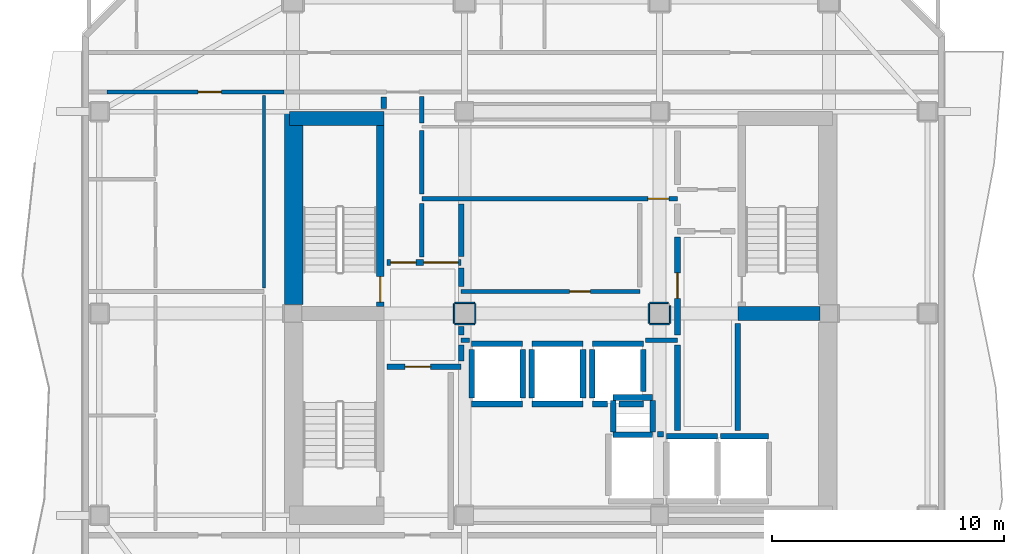
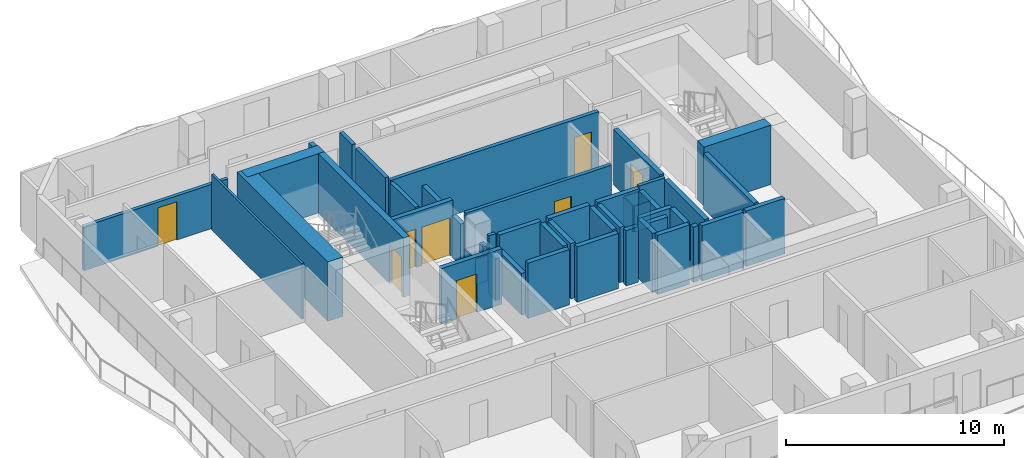
# One storey, part 4 of 10: 51 walls, 8 doors, 8 openings.
"""IFC4 building model written with IfcOpenShell, lengths in metres."""

from ifc_helpers import new_model, si_unit, direction, frame, frame_2d, origin, place, context, subcontext, project, spatial, rectangle, extrude, material, layer, layer_set, type_object, element, fill, save


model = new_model("IFC4")

# Units and contexts
model_context = context("Model", 3, precision=1e-05, world=origin(), true_north=direction((0.0, 1.0)))
body_context = subcontext(model_context, "Body", "Model", "MODEL_VIEW")
ifc_project = project(units=[si_unit("LENGTHUNIT", "METRE"), si_unit("AREAUNIT", "SQUARE_METRE"), si_unit("VOLUMEUNIT", "CUBIC_METRE"), si_unit("PLANEANGLEUNIT", "RADIAN"), si_unit("MASSUNIT", "GRAM", prefix="KILO")], contexts=[model_context])

# Site, building, storey
site_placement = place(None, origin())
site = spatial("IfcSite", under=ifc_project, at=site_placement, CompositionType="ELEMENT")
building_placement = place(site_placement, origin())
building = spatial("IfcBuilding", under=site, at=building_placement, Name="Solanera Arch Residences", CompositionType="ELEMENT")
storey_placement = place(building_placement, frame((0.0, 0.0, 193.47998046875)))
storey = spatial("IfcBuildingStorey", under=building, at=storey_placement, Name="L56", CompositionType="ELEMENT", Elevation=193.47998046875)

# Walls
ifc_material_1 = material(Name="Fire-Rated Gypsum Stud Partition", Category="gypsum")
ifc_layer_1 = layer(ifc_material_1, 0.06005859375)
ifc_layer_set_1 = layer_set([ifc_layer_1], Name="Fire-Rated Gypsum Stud Partition")
wall_type_1 = type_object("IfcWallType", Name="Column Acoustic Furring Wall 60", PredefinedType="PARTITIONING", material=ifc_layer_set_1)
for number, where, z_axis, x_axis, name in (
    (1, (20.375, 30.242919921875, 0.0), (0.0, 0.0, 1.0), (1.0, 0.0, 0.0), "L56 Column Furring 7S"),
    (2, (20.375, 31.156982421875, 0.0), (0.0, 0.0, 1.0), (1.0, 0.0, 0.0), "L56 Column Furring 7N"),
    (3, (20.343017578125, 30.27490234375, 0.0), (0.0, 0.0, 1.0), (0.0, 1.0, 0.0), "L56 Column Furring 7W"),
    (4, (21.257080078125, 30.27490234375, 0.0), (0.0, 0.0, 1.0), (0.0, 1.0, 0.0), "L56 Column Furring 7E"),
    (5, (28.77490234375, 30.242919921875, 0.0), (0.0, 0.0, 1.0), (1.0, 0.0, 0.0), "L56 Column Furring 8S"),
):
    element("IfcWall", number, at=place(storey_placement, frame(where, z_axis=z_axis, x_axis=x_axis)), inside=storey, type_object=wall_type_1, Name=name, PredefinedType="PARTITIONING", context=body_context, shape_type="SweptSolid", body=[
        extrude(rectangle(XDim=0.85009765625, YDim=0.06005859375, at=frame_2d((0.425048828125, 0.0))), origin(), (0.0, 0.0, 1.0), 1.449951171875),
    ])
wall_1_placement = place(storey_placement, frame((28.77490234375, 31.156982421875, 0.0), z_axis=(0.0, 0.0, 1.0), x_axis=(1.0, 0.0, 0.0)))
element("IfcWall", 6, at=wall_1_placement, inside=storey, type_object=wall_type_1, Name="L56 Column Furring 8N", PredefinedType="PARTITIONING", context=body_context, shape_type="SweptSolid", body=[
    extrude(rectangle(XDim=0.794189453125, YDim=0.06005859375, at=frame_2d((0.39697265625, 0.0))), origin(), (0.0, 0.0, 1.0), 1.449951171875),
])
wall_2_placement = place(storey_placement, frame((28.742919921875, 30.27490234375, 0.0), z_axis=(0.0, 0.0, 1.0), x_axis=(0.0, 1.0, 0.0)))
element("IfcWall", 7, at=wall_2_placement, inside=storey, type_object=wall_type_1, Name="L56 Column Furring 8W", PredefinedType="PARTITIONING", context=body_context, shape_type="SweptSolid", body=[
    extrude(rectangle(XDim=0.85009765625, YDim=0.06005859375, at=frame_2d((0.425048828125, 0.0))), origin(), (0.0, 0.0, 1.0), 1.449951171875),
])
wall_3_placement = place(storey_placement, frame((29.656982421875, 30.27490234375, 0.0), z_axis=(0.0, 0.0, 1.0), x_axis=(0.0, 1.0, 0.0)))
element("IfcWall", 8, at=wall_3_placement, inside=storey, type_object=wall_type_1, Name="L56 Column Furring 8E", PredefinedType="PARTITIONING", context=body_context, shape_type="SweptSolid", body=[
    extrude(rectangle(XDim=0.757080078125, YDim=0.06005859375, at=frame_2d((0.37841796875, 0.0))), origin(), (0.0, 0.0, 1.0), 1.449951171875),
])

# Wall, opening, door
ifc_material_2 = material(Name="Concrete C40/50 (f'c = 45 MPa)", Category="concrete")
ifc_layer_2 = layer(ifc_material_2, 0.320068359375)
ifc_layer_set_2 = layer_set([ifc_layer_2], Name="Concrete C40/50 (f'c = 45 MPa)")
wall_type_2 = type_object("IfcWallType", Name="Core Shear Wall CW-320", PredefinedType="SHEAR", material=ifc_layer_set_2)
wall_4_placement = place(storey_placement, frame((17.159912109375, 31.0, 0.0), z_axis=(0.0, 0.0, 1.0), x_axis=(0.0, 1.0, 0.0)))
wall_4 = element("IfcWall", 9, at=wall_4_placement, inside=storey, type_object=wall_type_2, Name="L56 Stair ST-T1 East Shear Wall", PredefinedType="SHEAR", context=body_context, shape_type="SweptSolid", body=[
    extrude(rectangle(XDim=7.800048828125, YDim=0.320068359375, at=frame_2d((3.89990234375, 0.0))), origin(), (0.0, 0.0, 1.0), 3.320068359375),
])
opening_1_placement = place(wall_4_placement, frame((0.18994140625, 0.0, 0.0)))
opening_1 = element("IfcOpeningElement", 10, at=opening_1_placement, cuts=wall_4, Name="Opening DF-01", PredefinedType="OPENING", context=body_context, shape_type="SweptSolid", body=[
    extrude(rectangle(XDim=1.10009765625, YDim=2.14990234375, at=frame_2d((0.550048828125, 1.074951171875))), frame((0.0, 0.169921875, 0.0), z_axis=(0.0, -1.0, 0.0), x_axis=(1.0, 0.0, 0.0)), (0.0, 0.0, 1.0), 0.3401),
])
ifc_material_3 = material(Name="Fire-Rated Architectural Hardwood", Category="wood")
door_type_1 = type_object("IfcDoorType", Name="Stair Exit Fire Door DF-01", OperationType="NOTDEFINED", PredefinedType="DOOR", material=ifc_material_3)
door_1_placement = place(opening_1_placement, origin())
door_1 = element("IfcDoor", 11, at=door_1_placement, inside=storey, type_object=door_type_1, Name="DR-L56-STAIR-ST-T1", OperationType="SINGLE_SWING_LEFT", OverallHeight=2.14990234375, OverallWidth=1.10009765625, PredefinedType="DOOR", context=body_context, shape_type="SweptSolid", body=[
    extrude(rectangle(XDim=1.10009765625, YDim=2.14990234375, at=frame_2d((0.550048828125, 1.074951171875))), frame((0.0, 0.02490234375, 0.0), z_axis=(0.0, -1.0, 0.0), x_axis=(1.0, 0.0, 0.0)), (0.0, 0.0, 1.0), 0.050048828125),
])
fill(opening_1, door_1)

# Walls
ifc_material_4 = material(Name="Concrete C40/50 (f'c = 45 MPa)", Category="concrete")
ifc_layer_3 = layer(ifc_material_4, 0.60009765625)
ifc_layer_set_3 = layer_set([ifc_layer_3], Name="Concrete C40/50 (f'c = 45 MPa)")
wall_type_3 = type_object("IfcWallType", Name="Core Shear Wall CW-600", PredefinedType="SHEAR", material=ifc_layer_set_3)
wall_5_placement = place(storey_placement, frame((13.239990234375, 39.10009765625, 0.0), z_axis=(0.0, 0.0, 1.0), x_axis=(1.0, 0.0, 0.0)))
element("IfcWall", 12, at=wall_5_placement, inside=storey, type_object=wall_type_3, Name="L56 North-West Core Shear Wall", PredefinedType="SHEAR", context=body_context, shape_type="SweptSolid", body=[
    extrude(rectangle(XDim=4.080078125, YDim=0.60009765625, at=frame_2d((2.0400390625, 0.0))), origin(), (0.0, 0.0, 1.0), 3.320068359375),
])
wall_6_placement = place(storey_placement, frame((32.580078125, 30.699951171875, 0.0), z_axis=(0.0, 0.0, 1.0), x_axis=(1.0, 0.0, 0.0)))
element("IfcWall", 13, at=wall_6_placement, inside=storey, type_object=wall_type_3, Name="L56 East Stair Far-Landing Shear Wall", PredefinedType="SHEAR", context=body_context, shape_type="SweptSolid", body=[
    extrude(rectangle(XDim=3.5400390625, YDim=0.60009765625, at=frame_2d((1.77001953125, 0.0))), origin(), (0.0, 0.0, 1.0), 3.320068359375),
])
ifc_material_5 = material(Name="Concrete C40/50 (f'c = 45 MPa)", Category="concrete")
ifc_layer_4 = layer(ifc_material_5, 0.800048828125)
ifc_layer_set_4 = layer_set([ifc_layer_4], Name="Concrete C40/50 (f'c = 45 MPa)")
wall_type_4 = type_object("IfcWallType", Name="Core Shear Wall CW-800", PredefinedType="SHEAR", material=ifc_layer_set_4)
wall_7_placement = place(storey_placement, frame((13.43994140625, 31.080078125, 0.0), z_axis=(0.0, 0.0, 1.0), x_axis=(0.0, 1.0, 0.0)))
element("IfcWall", 14, at=wall_7_placement, inside=storey, type_object=wall_type_4, Name="L56 West Core North Shear Wall", PredefinedType="SHEAR", context=body_context, shape_type="SweptSolid", body=[
    extrude(rectangle(XDim=8.31982421875, YDim=0.800048828125, at=frame_2d((4.159912109375, 0.0))), origin(), (0.0, 0.0, 1.0), 3.320068359375),
])
ifc_material_6 = material(Name="Autoclaved Aerated Concrete Blockwork", Category="masonry")
ifc_layer_5 = layer(ifc_material_6, 0.179931640625)
ifc_layer_set_5 = layer_set([ifc_layer_5], Name="Autoclaved Aerated Concrete Blockwork")
wall_type_5 = type_object("IfcWallType", Name="Corridor Fire Partition 180", PredefinedType="PARTITIONING", material=ifc_layer_set_5)
wall_8_placement = place(storey_placement, frame((20.64990234375, 29.550048828125, 0.0), z_axis=(0.0, 0.0, 1.0), x_axis=(1.0, 0.0, 0.0)))
element("IfcWall", 15, at=wall_8_placement, inside=storey, type_object=wall_type_5, Name="L56 Interior Partition H8 1", PredefinedType="PARTITIONING", context=body_context, shape_type="SweptSolid", body=[
    extrude(rectangle(XDim=0.357177734375, YDim=0.179931640625, at=frame_2d((0.1787109375, 0.0))), origin(), (0.0, 0.0, 1.0), 3.10009765625),
])
wall_9_placement = place(storey_placement, frame((28.593017578125, 29.550048828125, 0.0), z_axis=(0.0, 0.0, 1.0), x_axis=(1.0, 0.0, 0.0)))
element("IfcWall", 16, at=wall_9_placement, inside=storey, type_object=wall_type_5, Name="L56 Interior Partition H8 2", PredefinedType="PARTITIONING", context=body_context, shape_type="SweptSolid", body=[
    extrude(rectangle(XDim=1.382080078125, YDim=0.179931640625, at=frame_2d((0.69091796875, 0.0))), origin(), (0.0, 0.0, 1.0), 3.10009765625),
])

# Wall, opening, door
wall_10_placement = place(storey_placement, frame((20.64990234375, 31.64990234375, 0.0), z_axis=(0.0, 0.0, 1.0), x_axis=(1.0, 0.0, 0.0)))
wall_10 = element("IfcWall", 17, at=wall_10_placement, inside=storey, type_object=wall_type_5, Name="L56 Interior Partition H10", PredefinedType="PARTITIONING", context=body_context, shape_type="SweptSolid", body=[
    extrude(rectangle(XDim=7.7001953125, YDim=0.179931640625, at=frame_2d((3.85009765625, 0.0))), origin(), (0.0, 0.0, 1.0), 3.10009765625),
])
opening_2_placement = place(wall_10_placement, frame((4.673095703125, 0.0, 0.0)))
opening_2 = element("IfcOpeningElement", 18, at=opening_2_placement, cuts=wall_10, Name="Opening DI-02", PredefinedType="OPENING", context=body_context, shape_type="SweptSolid", body=[
    extrude(rectangle(XDim=0.89990234375, YDim=2.10009765625, at=frame_2d((0.449951171875, 1.050048828125))), frame((0.0, 0.10009765625, 0.0), z_axis=(0.0, -1.0, 0.0), x_axis=(1.0, 0.0, 0.0)), (0.0, 0.0, 1.0), 0.1999),
])
ifc_material_7 = material(Name="Fire-Rated Architectural Hardwood", Category="wood")
door_type_2 = type_object("IfcDoorType", Name="Suite Room Swing Door DI-02", OperationType="NOTDEFINED", PredefinedType="DOOR", material=ifc_material_7)
door_2_placement = place(opening_2_placement, origin())
door_2 = element("IfcDoor", 19, at=door_2_placement, inside=storey, type_object=door_type_2, Name="DR-L56-IN-013", OperationType="SINGLE_SWING_LEFT", OverallHeight=2.10009765625, OverallWidth=0.89990234375, PredefinedType="DOOR", context=body_context, shape_type="SweptSolid", body=[
    extrude(rectangle(XDim=0.89990234375, YDim=2.10009765625, at=frame_2d((0.449951171875, 1.050048828125))), frame((0.0, 0.02490234375, 0.0), z_axis=(0.0, -1.0, 0.0), x_axis=(1.0, 0.0, 0.0)), (0.0, 0.0, 1.0), 0.050048828125),
])
fill(opening_2, door_2)

wall_11_placement = place(storey_placement, frame((5.387939453125, 40.25, 0.0), z_axis=(0.0, 0.0, 1.0), x_axis=(1.0, 0.0, 0.0)))
wall_11 = element("IfcWall", 20, at=wall_11_placement, inside=storey, type_object=wall_type_5, Name="L56 Interior Partition H12 2", PredefinedType="PARTITIONING", context=body_context, shape_type="SweptSolid", body=[
    extrude(rectangle(XDim=7.6240234375, YDim=0.179931640625, at=frame_2d((3.81201171875, 0.0))), origin(), (0.0, 0.0, 1.0), 2.47705078125),
])
opening_3_placement = place(wall_11_placement, frame((3.9208984375, 0.0, 0.0)))
opening_3 = element("IfcOpeningElement", 21, at=opening_3_placement, cuts=wall_11, Name="Opening DI-01", PredefinedType="OPENING", context=body_context, shape_type="SweptSolid", body=[
    extrude(rectangle(XDim=1.0, YDim=2.14990234375, at=frame_2d((0.5, 1.074951171875))), frame((0.0, 0.10009765625, 0.0), z_axis=(0.0, -1.0, 0.0), x_axis=(1.0, 0.0, 0.0)), (0.0, 0.0, 1.0), 0.1999),
])
ifc_material_8 = material(Name="Fire-Rated Architectural Hardwood", Category="wood")
door_type_3 = type_object("IfcDoorType", Name="Unit Entrance Fire Door DI-01", OperationType="NOTDEFINED", PredefinedType="DOOR", material=ifc_material_8)
door_3_placement = place(opening_3_placement, origin())
door_3 = element("IfcDoor", 22, at=door_3_placement, inside=storey, type_object=door_type_3, Name="DR-L56-IN-033", OperationType="SINGLE_SWING_LEFT", OverallHeight=2.14990234375, OverallWidth=1.0, PredefinedType="DOOR", context=body_context, shape_type="SweptSolid", body=[
    extrude(rectangle(XDim=1.0, YDim=2.14990234375, at=frame_2d((0.5, 1.074951171875))), frame((0.0, 0.02490234375, 0.0), z_axis=(0.0, -1.0, 0.0), x_axis=(1.0, 0.0, 0.0)), (0.0, 0.0, 1.0), 0.050048828125),
])
fill(opening_3, door_3)

ifc_material_9 = material(Name="Autoclaved Aerated Concrete Blockwork", Category="masonry")
ifc_layer_6 = layer(ifc_material_9, 0.199951171875)
ifc_layer_set_6 = layer_set([ifc_layer_6], Name="Autoclaved Aerated Concrete Blockwork")
wall_type_6 = type_object("IfcWallType", Name="Party Wall Acoustic 200", PredefinedType="PARTITIONING", material=ifc_layer_set_6)
wall_12_placement = place(storey_placement, frame((18.949951171875, 35.64990234375, 0.0), z_axis=(0.0, 0.0, 1.0), x_axis=(1.0, 0.0, 0.0)))
wall_12 = element("IfcWall", 23, at=wall_12_placement, inside=storey, type_object=wall_type_6, Name="L56 Interior Partition H6", PredefinedType="PARTITIONING", context=body_context, shape_type="SweptSolid", body=[
    extrude(rectangle(XDim=11.025146484375, YDim=0.199951171875, at=frame_2d((5.5126953125, 0.0))), origin(), (0.0, 0.0, 1.0), 3.10009765625),
])
opening_4_placement = place(wall_12_placement, frame((9.7490234375, 0.0, 0.0)))
opening_4 = element("IfcOpeningElement", 24, at=opening_4_placement, cuts=wall_12, Name="Opening DI-02", PredefinedType="OPENING", context=body_context, shape_type="SweptSolid", body=[
    extrude(rectangle(XDim=0.89990234375, YDim=2.10009765625, at=frame_2d((0.449951171875, 1.050048828125))), frame((0.0, 0.110107421875, 0.0), z_axis=(0.0, -1.0, 0.0), x_axis=(1.0, 0.0, 0.0)), (0.0, 0.0, 1.0), 0.22),
])
door_4_placement = place(opening_4_placement, origin())
door_4 = element("IfcDoor", 25, at=door_4_placement, inside=storey, type_object=door_type_2, Name="DR-L56-IN-012", OperationType="SINGLE_SWING_RIGHT", OverallHeight=2.10009765625, OverallWidth=0.89990234375, PredefinedType="DOOR", context=body_context, shape_type="SweptSolid", body=[
    extrude(rectangle(XDim=0.89990234375, YDim=2.10009765625, at=frame_2d((0.449951171875, 1.050048828125))), frame((0.0, 0.02490234375, 0.0), z_axis=(0.0, -1.0, 0.0), x_axis=(1.0, 0.0, 0.0)), (0.0, 0.0, 1.0), 0.050048828125),
])
fill(opening_4, door_4)

# Walls
wall_13_placement = place(storey_placement, frame((18.949951171875, 33.1279296875, 0.0), z_axis=(0.0, 0.0, 1.0), x_axis=(0.0, 1.0, 0.0)))
element("IfcWall", 26, at=wall_13_placement, inside=storey, type_object=wall_type_6, Name="L56 Interior Partition V7 1", PredefinedType="PARTITIONING", context=body_context, shape_type="SweptSolid", body=[
    extrude(rectangle(XDim=2.31396484375, YDim=0.199951171875, at=frame_2d((1.156982421875, 0.0))), origin(), (0.0, 0.0, 1.0), 3.10009765625),
])
wall_14_placement = place(storey_placement, frame((18.949951171875, 35.85791015625, 0.0), z_axis=(0.0, 0.0, 1.0), x_axis=(0.0, 1.0, 0.0)))
element("IfcWall", 27, at=wall_14_placement, inside=storey, type_object=wall_type_6, Name="L56 Interior Partition V7 2", PredefinedType="PARTITIONING", context=body_context, shape_type="SweptSolid", body=[
    extrude(rectangle(XDim=2.72412109375, YDim=0.199951171875, at=frame_2d((1.362060546875, 0.0))), origin(), (0.0, 0.0, 1.0), 3.10009765625),
])
wall_15_placement = place(storey_placement, frame((18.949951171875, 38.91796875, 0.0), z_axis=(0.0, 0.0, 1.0), x_axis=(0.0, 1.0, 0.0)))
element("IfcWall", 28, at=wall_15_placement, inside=storey, type_object=wall_type_6, Name="L56 Interior Partition V7 3", PredefinedType="PARTITIONING", context=body_context, shape_type="SweptSolid", body=[
    extrude(rectangle(XDim=1.134033203125, YDim=0.199951171875, at=frame_2d((0.56689453125, 0.0))), origin(), (0.0, 0.0, 1.0), 3.10009765625),
])
ifc_material_10 = material(Name="Concrete C40/50 (f'c = 45 MPa)", Category="concrete")
ifc_layer_7 = layer(ifc_material_10, 0.239990234375)
ifc_layer_set_7 = layer_set([ifc_layer_7], Name="Concrete C40/50 (f'c = 45 MPa)")
wall_type_7 = type_object("IfcWallType", Name="Ramp Bearing Shear Wall RW-240", PredefinedType="SHEAR", material=ifc_layer_set_7)
for number, where, z_axis, x_axis, name in (
    (29, (27.199951171875, 25.47998046875, 0.0), (0.0, 0.0, 1.0), (1.0, 0.0, 0.0), "L56 Core MEP Riser South Shaft Wall"),
    (30, (27.199951171875, 27.080078125, 0.0), (0.0, 0.0, 1.0), (1.0, 0.0, 0.0), "L56 Core MEP Riser North Shaft Wall"),
):
    element("IfcWall", number, at=place(storey_placement, frame(where, z_axis=z_axis, x_axis=x_axis)), inside=storey, type_object=wall_type_7, Name=name, PredefinedType="SHEAR", context=body_context, shape_type="SweptSolid", body=[
        extrude(rectangle(XDim=1.699951171875, YDim=0.239990234375, at=frame_2d((0.85009765625, 0.0))), origin(), (0.0, 0.0, 1.0), 3.320068359375),
    ])
for number, where, z_axis, x_axis, name in (
    (31, (27.199951171875, 25.60009765625, 0.0), (0.0, 0.0, 1.0), (0.0, 1.0, 0.0), "L56 Core MEP Riser West Shaft Wall"),
    (32, (28.89990234375, 25.60009765625, 0.0), (0.0, 0.0, 1.0), (0.0, 1.0, 0.0), "L56 Core MEP Riser East Shaft Wall"),
):
    element("IfcWall", number, at=place(storey_placement, frame(where, z_axis=z_axis, x_axis=x_axis)), inside=storey, type_object=wall_type_7, Name=name, PredefinedType="SHEAR", context=body_context, shape_type="SweptSolid", body=[
        extrude(rectangle(XDim=1.35986328125, YDim=0.239990234375, at=frame_2d((0.679931640625, 0.0))), origin(), (0.0, 0.0, 1.0), 3.320068359375),
    ])
ifc_material_11 = material(Name="Autoclaved Aerated Concrete Blockwork", Category="masonry")
ifc_layer_8 = layer(ifc_material_11, 0.239990234375)
ifc_layer_set_8 = layer_set([ifc_layer_8], Name="Autoclaved Aerated Concrete Blockwork")
wall_type_8 = type_object("IfcWallType", Name="Shaft Wall Fire-Rated 240", PredefinedType="PARTITIONING", material=ifc_layer_set_8)
for number, where, z_axis, x_axis, name in (
    (33, (21.10009765625, 26.800048828125, 0.0), (0.0, 0.0, 1.0), (1.0, 0.0, 0.0), "L56 Lift PL-H1 Hoistway Wall S"),
    (34, (21.10009765625, 29.39990234375, 0.0), (0.0, 0.0, 1.0), (1.0, 0.0, 0.0), "L56 Lift PL-H1 Hoistway Wall N"),
):
    element("IfcWall", number, at=place(storey_placement, frame(where, z_axis=z_axis, x_axis=x_axis)), inside=storey, type_object=wall_type_8, Name=name, PredefinedType="PARTITIONING", context=body_context, shape_type="SweptSolid", body=[
        extrude(rectangle(XDim=2.199951171875, YDim=0.239990234375, at=frame_2d((1.10009765625, 0.0))), origin(), (0.0, 0.0, 1.0), 3.10009765625),
    ])
wall_16_placement = place(storey_placement, frame((21.10009765625, 27.048095703125, 0.0), z_axis=(0.0, 0.0, 1.0), x_axis=(0.0, 1.0, 0.0)))
element("IfcWall", 35, at=wall_16_placement, inside=storey, type_object=wall_type_8, Name="L56 Lift PL-H1 Hoistway Wall W", PredefinedType="PARTITIONING", context=body_context, shape_type="SweptSolid", body=[
    extrude(rectangle(XDim=2.10400390625, YDim=0.239990234375, at=frame_2d((1.052001953125, 0.0))), origin(), (0.0, 0.0, 1.0), 2.3349609375),
])
wall_17_placement = place(storey_placement, frame((23.300048828125, 27.048095703125, 0.0), z_axis=(0.0, 0.0, 1.0), x_axis=(0.0, 1.0, 0.0)))
element("IfcWall", 36, at=wall_17_placement, inside=storey, type_object=wall_type_8, Name="L56 Lift PL-H1 Hoistway Wall E", PredefinedType="PARTITIONING", context=body_context, shape_type="SweptSolid", body=[
    extrude(rectangle(XDim=2.10400390625, YDim=0.239990234375, at=frame_2d((1.052001953125, 0.0))), origin(), (0.0, 0.0, 1.0), 3.10009765625),
])
for number, where, z_axis, x_axis, name in (
    (37, (23.699951171875, 26.800048828125, 0.0), (0.0, 0.0, 1.0), (1.0, 0.0, 0.0), "L56 Lift PL-H2 Hoistway Wall S"),
    (38, (23.699951171875, 29.39990234375, 0.0), (0.0, 0.0, 1.0), (1.0, 0.0, 0.0), "L56 Lift PL-H2 Hoistway Wall N"),
):
    element("IfcWall", number, at=place(storey_placement, frame(where, z_axis=z_axis, x_axis=x_axis)), inside=storey, type_object=wall_type_8, Name=name, PredefinedType="PARTITIONING", context=body_context, shape_type="SweptSolid", body=[
        extrude(rectangle(XDim=2.199951171875, YDim=0.239990234375, at=frame_2d((1.10009765625, 0.0))), origin(), (0.0, 0.0, 1.0), 3.10009765625),
    ])
for number, where, z_axis, x_axis, name in (
    (39, (23.699951171875, 27.048095703125, 0.0), (0.0, 0.0, 1.0), (0.0, 1.0, 0.0), "L56 Lift PL-H2 Hoistway Wall W"),
    (40, (25.89990234375, 27.048095703125, 0.0), (0.0, 0.0, 1.0), (0.0, 1.0, 0.0), "L56 Lift PL-H2 Hoistway Wall E"),
):
    element("IfcWall", number, at=place(storey_placement, frame(where, z_axis=z_axis, x_axis=x_axis)), inside=storey, type_object=wall_type_8, Name=name, PredefinedType="PARTITIONING", context=body_context, shape_type="SweptSolid", body=[
        extrude(rectangle(XDim=2.10400390625, YDim=0.239990234375, at=frame_2d((1.052001953125, 0.0))), origin(), (0.0, 0.0, 1.0), 3.10009765625),
    ])
wall_18_placement = place(storey_placement, frame((26.300048828125, 26.800048828125, 0.0), z_axis=(0.0, 0.0, 1.0), x_axis=(1.0, 0.0, 0.0)))
element("IfcWall", 41, at=wall_18_placement, inside=storey, type_object=wall_type_8, Name="L56 Lift PL-H3 Hoistway Wall S 1", PredefinedType="PARTITIONING", context=body_context, shape_type="SweptSolid", body=[
    extrude(rectangle(XDim=0.64990234375, YDim=0.239990234375, at=frame_2d((0.324951171875, 0.0))), origin(), (0.0, 0.0, 1.0), 3.10009765625),
])
wall_19_placement = place(storey_placement, frame((27.449951171875, 26.800048828125, 0.0), z_axis=(0.0, 0.0, 1.0), x_axis=(1.0, 0.0, 0.0)))
element("IfcWall", 42, at=wall_19_placement, inside=storey, type_object=wall_type_8, Name="L56 Lift PL-H3 Hoistway Wall S 2", PredefinedType="PARTITIONING", context=body_context, shape_type="SweptSolid", body=[
    extrude(rectangle(XDim=1.050048828125, YDim=0.239990234375, at=frame_2d((0.52490234375, 0.0))), origin(), (0.0, 0.0, 1.0), 3.10009765625),
])
wall_20_placement = place(storey_placement, frame((26.300048828125, 29.39990234375, 0.0), z_axis=(0.0, 0.0, 1.0), x_axis=(1.0, 0.0, 0.0)))
element("IfcWall", 43, at=wall_20_placement, inside=storey, type_object=wall_type_8, Name="L56 Lift PL-H3 Hoistway Wall N", PredefinedType="PARTITIONING", context=body_context, shape_type="SweptSolid", body=[
    extrude(rectangle(XDim=2.199951171875, YDim=0.239990234375, at=frame_2d((1.10009765625, 0.0))), origin(), (0.0, 0.0, 1.0), 3.10009765625),
])
wall_21_placement = place(storey_placement, frame((26.300048828125, 27.048095703125, 0.0), z_axis=(0.0, 0.0, 1.0), x_axis=(0.0, 1.0, 0.0)))
element("IfcWall", 44, at=wall_21_placement, inside=storey, type_object=wall_type_8, Name="L56 Lift PL-H3 Hoistway Wall W", PredefinedType="PARTITIONING", context=body_context, shape_type="SweptSolid", body=[
    extrude(rectangle(XDim=2.10400390625, YDim=0.239990234375, at=frame_2d((1.052001953125, 0.0))), origin(), (0.0, 0.0, 1.0), 3.10009765625),
])
wall_22_placement = place(storey_placement, frame((28.5, 27.330078125, 0.0), z_axis=(0.0, 0.0, 1.0), x_axis=(0.0, 1.0, 0.0)))
element("IfcWall", 45, at=wall_22_placement, inside=storey, type_object=wall_type_8, Name="L56 Lift PL-H3 Hoistway Wall E", PredefinedType="PARTITIONING", context=body_context, shape_type="SweptSolid", body=[
    extrude(rectangle(XDim=1.822021484375, YDim=0.239990234375, at=frame_2d((0.9111328125, 0.0))), origin(), (0.0, 0.0, 1.0), 3.10009765625),
])
wall_23_placement = place(storey_placement, frame((29.5, 25.39990234375, 0.0), z_axis=(0.0, 0.0, 1.0), x_axis=(1.0, 0.0, 0.0)))
element("IfcWall", 46, at=wall_23_placement, inside=storey, type_object=wall_type_8, Name="L56 Lift FFL-1 Hoistway Wall N", PredefinedType="PARTITIONING", context=body_context, shape_type="SweptSolid", body=[
    extrude(rectangle(XDim=2.199951171875, YDim=0.239990234375, at=frame_2d((1.10009765625, 0.0))), origin(), (0.0, 0.0, 1.0), 3.10009765625),
])
wall_24_placement = place(storey_placement, frame((31.827880859375, 25.39990234375, 0.0), z_axis=(0.0, 0.0, 1.0), x_axis=(1.0, 0.0, 0.0)))
element("IfcWall", 47, at=wall_24_placement, inside=storey, type_object=wall_type_8, Name="L56 Lift FFL-2 Hoistway Wall N", PredefinedType="PARTITIONING", context=body_context, shape_type="SweptSolid", body=[
    extrude(rectangle(XDim=2.072021484375, YDim=0.239990234375, at=frame_2d((1.0361328125, 0.0))), origin(), (0.0, 0.0, 1.0), 3.10009765625),
])
wall_25_placement = place(storey_placement, frame((29.10302734375, 25.5, 0.0), z_axis=(0.0, 0.0, 1.0), x_axis=(1.0, 0.0, 0.0)))
element("IfcWall", 48, at=wall_25_placement, inside=storey, type_object=wall_type_8, Name="L56 Lift SVL-1 Hoistway Wall N", PredefinedType="PARTITIONING", context=body_context, shape_type="SweptSolid", body=[
    extrude(rectangle(XDim=0.26904296875, YDim=0.239990234375, at=frame_2d((0.134521484375, 0.0))), origin(), (0.0, 0.0, 1.0), 3.10009765625),
])

# Wall, opening, door
wall_26_placement = place(storey_placement, frame((17.449951171875, 28.39990234375, 0.0), z_axis=(0.0, 0.0, 1.0), x_axis=(1.0, 0.0, 0.0)))
wall_26 = element("IfcWall", 49, at=wall_26_placement, inside=storey, type_object=wall_type_8, Name="L56 Interior Partition H3", PredefinedType="PARTITIONING", context=body_context, shape_type="SweptSolid", body=[
    extrude(rectangle(XDim=3.199951171875, YDim=0.239990234375, at=frame_2d((1.60009765625, 0.0))), origin(), (0.0, 0.0, 1.0), 3.10009765625),
])
opening_5_placement = place(wall_26_placement, frame((0.783935546875, 0.0, 0.0)))
opening_5 = element("IfcOpeningElement", 50, at=opening_5_placement, cuts=wall_26, Name="Opening DF-02", PredefinedType="OPENING", context=body_context, shape_type="SweptSolid", body=[
    extrude(rectangle(XDim=1.10009765625, YDim=2.14990234375, at=frame_2d((0.550048828125, 1.074951171875))), frame((0.0, 0.1298828125, 0.0), z_axis=(0.0, -1.0, 0.0), x_axis=(1.0, 0.0, 0.0)), (0.0, 0.0, 1.0), 0.26),
])
ifc_material_12 = material(Name="Fire-Rated Architectural Hardwood", Category="wood")
door_type_4 = type_object("IfcDoorType", Name="Firefighting Lobby Fire Door DF-02", OperationType="NOTDEFINED", PredefinedType="DOOR", material=ifc_material_12)
door_5_placement = place(opening_5_placement, origin())
door_5 = element("IfcDoor", 51, at=door_5_placement, inside=storey, type_object=door_type_4, Name="DR-L56-IN-004", OperationType="SINGLE_SWING_RIGHT", OverallHeight=2.14990234375, OverallWidth=1.10009765625, PredefinedType="DOOR", context=body_context, shape_type="SweptSolid", body=[
    extrude(rectangle(XDim=1.10009765625, YDim=2.14990234375, at=frame_2d((0.550048828125, 1.074951171875))), frame((0.0, 0.02490234375, 0.0), z_axis=(0.0, -1.0, 0.0), x_axis=(1.0, 0.0, 0.0)), (0.0, 0.0, 1.0), 0.050048828125),
])
fill(opening_5, door_5)

# Wall, openings, doors
wall_27_placement = place(storey_placement, frame((17.449951171875, 32.89990234375, 0.0), z_axis=(0.0, 0.0, 1.0), x_axis=(1.0, 0.0, 0.0)))
wall_27 = element("IfcWall", 52, at=wall_27_placement, inside=storey, type_object=wall_type_8, Name="L56 Interior Partition H4", PredefinedType="PARTITIONING", context=body_context, shape_type="SweptSolid", body=[
    extrude(rectangle(XDim=3.199951171875, YDim=0.239990234375, at=frame_2d((1.60009765625, 0.0))), origin(), (0.0, 0.0, 1.0), 3.10009765625),
])
opening_6_placement = place(wall_27_placement, frame((0.158935546875, 0.0, 0.0)))
opening_6 = element("IfcOpeningElement", 53, at=opening_6_placement, cuts=wall_27, Name="Opening DF-02", PredefinedType="OPENING", context=body_context, shape_type="SweptSolid", body=[
    extrude(rectangle(XDim=1.10009765625, YDim=2.14990234375, at=frame_2d((0.550048828125, 1.074951171875))), frame((0.0, 0.1298828125, 0.0), z_axis=(0.0, -1.0, 0.0), x_axis=(1.0, 0.0, 0.0)), (0.0, 0.0, 1.0), 0.26),
])
opening_7_placement = place(wall_27_placement, frame((1.575927734375, 0.0, 0.0)))
opening_7 = element("IfcOpeningElement", 54, at=opening_7_placement, cuts=wall_27, Name="Opening DP-01", PredefinedType="OPENING", context=body_context, shape_type="SweptSolid", body=[
    extrude(rectangle(XDim=1.5, YDim=2.14990234375, at=frame_2d((0.75, 1.074951171875))), frame((0.0, 0.1298828125, 0.0), z_axis=(0.0, -1.0, 0.0), x_axis=(1.0, 0.0, 0.0)), (0.0, 0.0, 1.0), 0.26),
])
door_6_placement = place(opening_6_placement, origin())
door_6 = element("IfcDoor", 55, at=door_6_placement, inside=storey, type_object=door_type_4, Name="DR-L56-IN-005", OperationType="SINGLE_SWING_LEFT", OverallHeight=2.14990234375, OverallWidth=1.10009765625, PredefinedType="DOOR", context=body_context, shape_type="SweptSolid", body=[
    extrude(rectangle(XDim=1.10009765625, YDim=2.14990234375, at=frame_2d((0.550048828125, 1.074951171875))), frame((0.0, 0.02490234375, 0.0), z_axis=(0.0, -1.0, 0.0), x_axis=(1.0, 0.0, 0.0)), (0.0, 0.0, 1.0), 0.050048828125),
])
fill(opening_6, door_6)
ifc_material_13 = material(Name="Fire-Rated Architectural Hardwood", Category="wood")
door_type_5 = type_object("IfcDoorType", Name="Plant Double Fire Door DP-01", OperationType="NOTDEFINED", PredefinedType="DOOR", material=ifc_material_13)
door_7_placement = place(opening_7_placement, origin())
door_7 = element("IfcDoor", 56, at=door_7_placement, inside=storey, type_object=door_type_5, Name="DR-L56-IN-010", OperationType="SINGLE_SWING_RIGHT", OverallHeight=2.14990234375, OverallWidth=1.5, PredefinedType="DOOR", context=body_context, shape_type="SweptSolid", body=[
    extrude(rectangle(XDim=1.5, YDim=2.14990234375, at=frame_2d((0.75, 1.074951171875))), frame((0.0, 0.02490234375, 0.0), z_axis=(0.0, -1.0, 0.0), x_axis=(1.0, 0.0, 0.0)), (0.0, 0.0, 1.0), 0.050048828125),
])
fill(opening_7, door_7)

# Walls
wall_28_placement = place(storey_placement, frame((17.320068359375, 39.530029296875, 0.0), z_axis=(0.0, 0.0, 1.0), x_axis=(0.0, 1.0, 0.0)))
element("IfcWall", 57, at=wall_28_placement, inside=storey, type_object=wall_type_8, Name="L56 Interior Partition V1", PredefinedType="PARTITIONING", context=body_context, shape_type="SweptSolid", body=[
    extrude(rectangle(XDim=0.501953125, YDim=0.239990234375, at=frame_2d((0.2509765625, 0.0))), origin(), (0.0, 0.0, 1.0), 3.10009765625),
])
wall_29_placement = place(storey_placement, frame((20.64990234375, 28.64794921875, 0.0), z_axis=(0.0, 0.0, 1.0), x_axis=(0.0, 1.0, 0.0)))
element("IfcWall", 58, at=wall_29_placement, inside=storey, type_object=wall_type_8, Name="L56 Interior Partition V3 1", PredefinedType="PARTITIONING", context=body_context, shape_type="SweptSolid", body=[
    extrude(rectangle(XDim=0.68408203125, YDim=0.239990234375, at=frame_2d((0.342041015625, 0.0))), origin(), (0.0, 0.0, 1.0), 2.3349609375),
])
wall_30_placement = place(storey_placement, frame((20.64990234375, 29.76806640625, 0.0), z_axis=(0.0, 0.0, 1.0), x_axis=(0.0, 1.0, 0.0)))
element("IfcWall", 59, at=wall_30_placement, inside=storey, type_object=wall_type_8, Name="L56 Interior Partition V3 2", PredefinedType="PARTITIONING", context=body_context, shape_type="SweptSolid", body=[
    extrude(rectangle(XDim=0.375, YDim=0.239990234375, at=frame_2d((0.1875, 0.0))), origin(), (0.0, 0.0, 1.0), 2.3349609375),
])
wall_31_placement = place(storey_placement, frame((20.64990234375, 31.867919921875, 0.0), z_axis=(0.0, 0.0, 1.0), x_axis=(0.0, 1.0, 0.0)))
element("IfcWall", 60, at=wall_31_placement, inside=storey, type_object=wall_type_8, Name="L56 Interior Partition V3 3", PredefinedType="PARTITIONING", context=body_context, shape_type="SweptSolid", body=[
    extrude(rectangle(XDim=0.7841796875, YDim=0.239990234375, at=frame_2d((0.39208984375, 0.0))), origin(), (0.0, 0.0, 1.0), 2.3349609375),
])
wall_32_placement = place(storey_placement, frame((20.64990234375, 33.14794921875, 0.0), z_axis=(0.0, 0.0, 1.0), x_axis=(0.0, 1.0, 0.0)))
element("IfcWall", 61, at=wall_32_placement, inside=storey, type_object=wall_type_8, Name="L56 Interior Partition V3 4", PredefinedType="PARTITIONING", context=body_context, shape_type="SweptSolid", body=[
    extrude(rectangle(XDim=2.274169921875, YDim=0.239990234375, at=frame_2d((1.13720703125, 0.0))), origin(), (0.0, 0.0, 1.0), 2.3349609375),
])
wall_33_placement = place(storey_placement, frame((29.97509765625, 25.64794921875, 0.0), z_axis=(0.0, 0.0, 1.0), x_axis=(0.0, 1.0, 0.0)))
element("IfcWall", 62, at=wall_33_placement, inside=storey, type_object=wall_type_8, Name="L56 Interior Partition V4 1", PredefinedType="PARTITIONING", context=body_context, shape_type="SweptSolid", body=[
    extrude(rectangle(XDim=3.68408203125, YDim=0.239990234375, at=frame_2d((1.842041015625, 0.0))), origin(), (0.0, 0.0, 1.0), 3.10009765625),
])

# Wall, opening, door
wall_34_placement = place(storey_placement, frame((29.97509765625, 29.76806640625, 0.0), z_axis=(0.0, 0.0, 1.0), x_axis=(0.0, 1.0, 0.0)))
wall_34 = element("IfcWall", 63, at=wall_34_placement, inside=storey, type_object=wall_type_8, Name="L56 Interior Partition V4 2", PredefinedType="PARTITIONING", context=body_context, shape_type="SweptSolid", body=[
    extrude(rectangle(XDim=4.23388671875, YDim=0.239990234375, at=frame_2d((2.116943359375, 0.0))), origin(), (0.0, 0.0, 1.0), 3.10009765625),
])
opening_8_placement = place(wall_34_placement, frame((1.58203125, 0.0, 0.0)))
opening_8 = element("IfcOpeningElement", 64, at=opening_8_placement, cuts=wall_34, Name="Opening DF-02", PredefinedType="OPENING", context=body_context, shape_type="SweptSolid", body=[
    extrude(rectangle(XDim=1.10009765625, YDim=2.14990234375, at=frame_2d((0.550048828125, 1.074951171875))), frame((0.0, 0.1298828125, 0.0), z_axis=(0.0, -1.0, 0.0), x_axis=(1.0, 0.0, 0.0)), (0.0, 0.0, 1.0), 0.26),
])
door_8_placement = place(opening_8_placement, origin())
door_8 = element("IfcDoor", 65, at=door_8_placement, inside=storey, type_object=door_type_4, Name="DR-L56-IN-006", OperationType="SINGLE_SWING_RIGHT", OverallHeight=2.14990234375, OverallWidth=1.10009765625, PredefinedType="DOOR", context=body_context, shape_type="SweptSolid", body=[
    extrude(rectangle(XDim=1.10009765625, YDim=2.14990234375, at=frame_2d((0.550048828125, 1.074951171875))), frame((0.0, 0.02490234375, 0.0), z_axis=(0.0, -1.0, 0.0), x_axis=(1.0, 0.0, 0.0)), (0.0, 0.0, 1.0), 0.050048828125),
])
fill(opening_8, door_8)

# Walls
wall_35_placement = place(storey_placement, frame((32.580078125, 25.64794921875, 0.0), z_axis=(0.0, 0.0, 1.0), x_axis=(0.0, 1.0, 0.0)))
element("IfcWall", 66, at=wall_35_placement, inside=storey, type_object=wall_type_8, Name="L56 Interior Partition V6", PredefinedType="PARTITIONING", context=body_context, shape_type="SweptSolid", body=[
    extrude(rectangle(XDim=4.6220703125, YDim=0.239990234375, at=frame_2d((2.31103515625, 0.0))), origin(), (0.0, 0.0, 1.0), 3.10009765625),
])
ifc_material_14 = material(Name="Fire-Rated Gypsum Stud Partition", Category="gypsum")
ifc_layer_9 = layer(ifc_material_14, 0.1201171875)
ifc_layer_set_9 = layer_set([ifc_layer_9], Name="Fire-Rated Gypsum Stud Partition")
wall_type_9 = type_object("IfcWallType", Name="Unit Drywall Partition 120", PredefinedType="PARTITIONING", material=ifc_layer_set_9)
wall_36_placement = place(storey_placement, frame((12.14990234375, 31.80810546875, 0.0), z_axis=(0.0, 0.0, 1.0), x_axis=(0.0, 1.0, 0.0)))
element("IfcWall", 67, at=wall_36_placement, inside=storey, type_object=wall_type_9, Name="L56 Interior Partition V18 2", PredefinedType="PARTITIONING", context=body_context, shape_type="SweptSolid", body=[
    extrude(rectangle(XDim=8.283935546875, YDim=0.1201171875, at=frame_2d((4.14208984375, 0.0))), origin(), (0.0, 0.0, 1.0), 3.10009765625),
])

save(model, "model.ifc")
